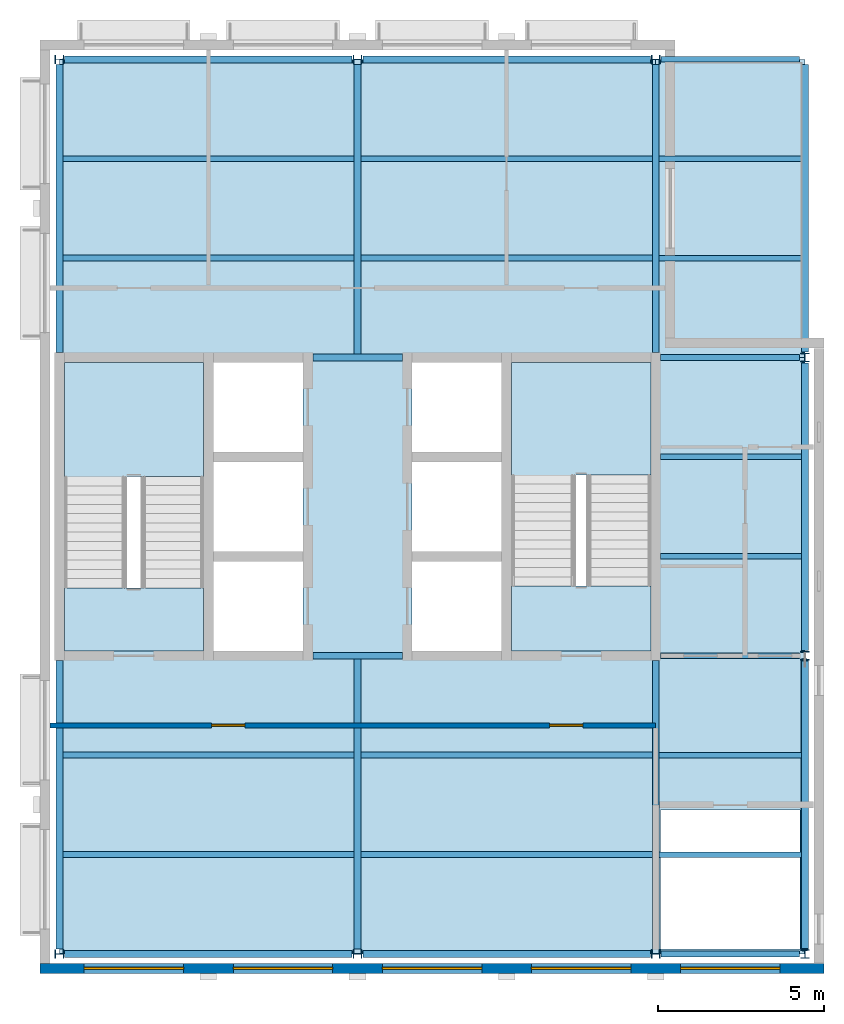
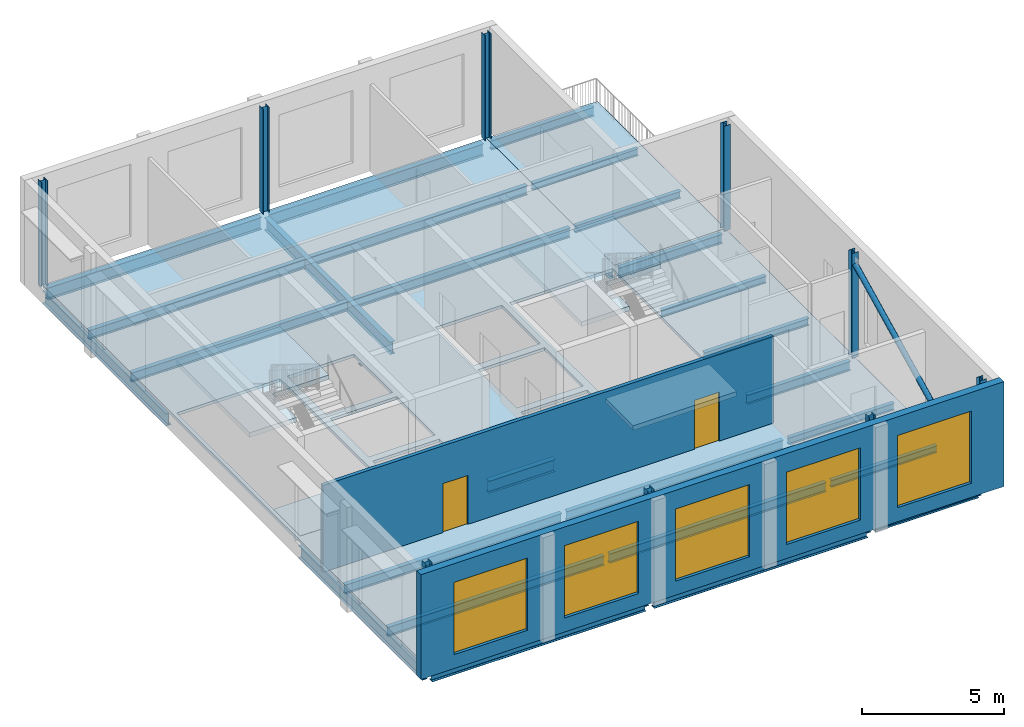
# One storey, part 1 of 5: 33 beams, 9 columns, 6 slabs, 5 windows, 2 doors, 2 walls, 1 member, 7 openings, 2 elements without a shape of their own.
"""IFC4 building model written with IfcOpenShell, lengths in metres."""

from ifc_helpers import new_model, si_unit, direction, frame, frame_2d, origin, origin_2d, place, context, subcontext, project, spatial, polyline, rectangle, hollow_circle, i_section, outline, extrude, material, layer, layer_set, material_profile, profile_set, type_object, element, fill, aggregate, save


model = new_model("IFC4")

# Units and contexts
model_context = context("Model", 3, precision=1e-05, world=origin(), true_north=direction((0.0, 1.0)))
body_context = subcontext(model_context, "Body", "Model", "MODEL_VIEW")
ifc_project = project(units=[si_unit("LENGTHUNIT", "METRE"), si_unit("AREAUNIT", "SQUARE_METRE"), si_unit("VOLUMEUNIT", "CUBIC_METRE"), si_unit("PLANEANGLEUNIT", "RADIAN"), si_unit("MASSUNIT", "GRAM", prefix="KILO")], contexts=[model_context])

# Site, building, storey
site_placement = place(None, origin())
site = spatial("IfcSite", under=ifc_project, at=site_placement, CompositionType="ELEMENT")
building_placement = place(site_placement, origin())
building = spatial("IfcBuilding", under=site, at=building_placement, Name="Hortulan Conservatory and Botanical Research Centre", CompositionType="ELEMENT")
storey_placement = place(building_placement, frame((0.0, 0.0, 65.39990234375)))
storey = spatial("IfcBuildingStorey", under=building, at=storey_placement, Name="L15", CompositionType="ELEMENT", Elevation=65.39990234375)

# Columns
ifc_material_1 = material(Name="Steel Grade 300PLUS (AS/NZS 3679.1, 280 MPa minimum yield)", Category="steel")
ifc_material_profile_1 = material_profile(ifc_material_1, i_section(OverallWidth=0.256103515625, OverallDepth=0.260009765625, WebThickness=0.010498046875, FlangeThickness=0.017333984375, FilletRadius=0.013916015625, at=origin_2d()), Name="250UC89.5")
ifc_profile_set_1 = profile_set([ifc_material_profile_1], Name="Steel Grade 300PLUS (AS/NZS 3679.1, 280 MPa minimum yield)")
column_type = type_object("IfcColumnType", Name="Tower Column 250UC89.5", PredefinedType="COLUMN", material=ifc_profile_set_1)
for number, where, z_axis, x_axis, name in (
    (1, (9.0, 0.0, 0.0), (0.0, 0.0, 1.0), (0.0, 1.0, 0.0), "250UC89.5 column"),
    (2, (9.0, 27.0, 0.0), (0.0, 0.0, 1.0), (0.0, 1.0, 0.0), "250UC89.5 column"),
    (3, (18.0, 0.0, 0.0), (0.0, 0.0, 1.0), (0.0, 1.0, 0.0), "250UC89.5 column"),
    (4, (18.0, 27.0, 0.0), (0.0, 0.0, 1.0), (0.0, 1.0, 0.0), "250UC89.5 column"),
    (5, (27.0, 0.0, 0.0), (0.0, 0.0, 1.0), (0.0, 1.0, 0.0), "250UC89.5 column"),
    (6, (27.0, 27.0, 0.0), (0.0, 0.0, 1.0), (0.0, 1.0, 0.0), "250UC89.5 column"),
    (7, (31.5, 0.0, 0.0), (0.0, 0.0, 1.0), (1.0, 0.0, 0.0), "250UC89.5 column"),
    (8, (31.5, 9.0, 0.0), (0.0, 0.0, 1.0), (1.0, 0.0, 0.0), "250UC89.5 column"),
    (9, (31.5, 18.0, 0.0), (0.0, 0.0, 1.0), (1.0, 0.0, 0.0), "250UC89.5 column"),
):
    element("IfcColumn", number, at=place(storey_placement, frame(where, z_axis=z_axis, x_axis=x_axis)), inside=storey, type_object=column_type, Name=name, PredefinedType="COLUMN", context=body_context, shape_type="SweptSolid", body=[
        extrude(i_section(OverallWidth=0.256103515625, OverallDepth=0.260009765625, WebThickness=0.010498046875, FlangeThickness=0.017333984375, FilletRadius=0.013916015625, at=origin_2d()), origin(), (0.0, 0.0, 1.0), 4.5),
    ])

# Member
ifc_material_2 = material(Name="Steel Grade C350L0 (350 MPa, AS/NZS 1163)", Category="steel")
ifc_material_profile_2 = material_profile(ifc_material_2, hollow_circle(Radius=0.109619140625, WallThickness=0.00830078125, at=origin_2d()), Name="219.1x8.2CHS")
ifc_profile_set_2 = profile_set([ifc_material_profile_2], Name="Steel Grade C350L0 (350 MPa, AS/NZS 1163)")
member_type = type_object("IfcMemberType", Name="Brace 219.1x8.2CHS", PredefinedType="BRACE", material=ifc_profile_set_2)
member_placement = place(storey_placement, frame((31.5, 0.1298828125, -0.32958984375), z_axis=(0.0, 0.896112890086, 0.443826191456), x_axis=(-1.0, 0.0, 0.0)))
element("IfcMember", 10, at=member_placement, inside=storey, type_object=member_type, Name="219.1x8.2CHS brace", PredefinedType="BRACE", context=body_context, shape_type="SweptSolid", body=[
    extrude(hollow_circle(Radius=0.109619140625, WallThickness=0.00830078125, at=origin_2d()), origin(), (0.0, 0.0, 1.0), 9.75341796875),
])

# Beams
ifc_material_profile_3 = material_profile(ifc_material_1, i_section(OverallWidth=0.177978515625, OverallDepth=0.403076171875, WebThickness=0.007568359375, FlangeThickness=0.010986328125, FilletRadius=0.011474609375, at=origin_2d()), Name="410UB53.7")
ifc_profile_set_3 = profile_set([ifc_material_profile_3], Name="Steel Grade 300PLUS (AS/NZS 3679.1, 280 MPa minimum yield)")
beam_type_1 = type_object("IfcBeamType", Name="Primary Beam 410UB53.7", PredefinedType="BEAM", material=ifc_profile_set_3)
for number, where, z_axis, x_axis, name in (
    (11, (27.160400390625, 0.0, -0.331298828125), (1.0, 0.0, 0.0), (0.0, 1.0, 0.0), "410UB53.7 girder"),
    (12, (27.160400390625, 27.0, -0.331298828125), (1.0, 0.0, 0.0), (0.0, 1.0, 0.0), "410UB53.7 girder"),
):
    element("IfcBeam", number, at=place(storey_placement, frame(where, z_axis=z_axis, x_axis=x_axis)), inside=storey, type_object=beam_type_1, Name=name, PredefinedType="BEAM", context=body_context, shape_type="SweptSolid", body=[
        extrude(i_section(OverallWidth=0.177978515625, OverallDepth=0.403076171875, WebThickness=0.007568359375, FlangeThickness=0.010986328125, FilletRadius=0.011474609375, at=origin_2d()), origin(), (0.0, 0.0, 1.0), 4.18505859375),
    ])
for number, where, z_axis, x_axis, name in (
    (13, (27.14990234375, 9.0, -0.331298828125), (1.0, 0.0, 0.0), (0.0, 1.0, 0.0), "410UB53.7 girder"),
    (14, (27.14990234375, 18.0, -0.331298828125), (1.0, 0.0, 0.0), (0.0, 1.0, 0.0), "410UB53.7 girder"),
):
    element("IfcBeam", number, at=place(storey_placement, frame(where, z_axis=z_axis, x_axis=x_axis)), inside=storey, type_object=beam_type_1, Name=name, PredefinedType="BEAM", context=body_context, shape_type="SweptSolid", body=[
        extrude(i_section(OverallWidth=0.177978515625, OverallDepth=0.403076171875, WebThickness=0.007568359375, FlangeThickness=0.010986328125, FilletRadius=0.011474609375, at=origin_2d()), origin(), (0.0, 0.0, 1.0), 4.195556640625),
    ])
ifc_material_profile_4 = material_profile(ifc_material_1, i_section(OverallWidth=0.208984375, OverallDepth=0.528076171875, WebThickness=0.009521484375, FlangeThickness=0.01318359375, FilletRadius=0.013916015625, at=origin_2d()), Name="530UB82.0")
ifc_profile_set_4 = profile_set([ifc_material_profile_4], Name="Steel Grade 300PLUS (AS/NZS 3679.1, 280 MPa minimum yield)")
beam_type_2 = type_object("IfcBeamType", Name="Primary Beam 530UB82.0", PredefinedType="BEAM", material=ifc_profile_set_4)
beam_1_placement = place(storey_placement, frame((9.0, 0.154541015625, -0.393798828125), z_axis=(0.0, 1.0, 0.0), x_axis=(-1.0, 0.0, 0.0)))
element("IfcBeam", 15, at=beam_1_placement, inside=storey, type_object=beam_type_2, Name="530UB82.0 girder", PredefinedType="BEAM", context=body_context, shape_type="SweptSolid", body=[
    extrude(i_section(OverallWidth=0.208984375, OverallDepth=0.528076171875, WebThickness=0.009521484375, FlangeThickness=0.01318359375, FilletRadius=0.013916015625, at=origin_2d()), origin(), (0.0, 0.0, 1.0), 8.695556640625),
])
beam_2_placement = place(storey_placement, frame((9.160400390625, 0.0, -0.393798828125), z_axis=(1.0, 0.0, 0.0), x_axis=(0.0, 1.0, 0.0)))
element("IfcBeam", 16, at=beam_2_placement, inside=storey, type_object=beam_type_2, Name="530UB82.0 girder", PredefinedType="BEAM", context=body_context, shape_type="SweptSolid", body=[
    extrude(i_section(OverallWidth=0.208984375, OverallDepth=0.528076171875, WebThickness=0.009521484375, FlangeThickness=0.01318359375, FilletRadius=0.013916015625, at=origin_2d()), origin(), (0.0, 0.0, 1.0), 8.67919921875),
])
beam_3_placement = place(storey_placement, frame((9.0, 18.14990234375, -0.393798828125), z_axis=(0.0, 1.0, 0.0), x_axis=(-1.0, 0.0, 0.0)))
element("IfcBeam", 17, at=beam_3_placement, inside=storey, type_object=beam_type_2, Name="530UB82.0 girder", PredefinedType="BEAM", context=body_context, shape_type="SweptSolid", body=[
    extrude(i_section(OverallWidth=0.208984375, OverallDepth=0.528076171875, WebThickness=0.009521484375, FlangeThickness=0.01318359375, FilletRadius=0.013916015625, at=origin_2d()), origin(), (0.0, 0.0, 1.0), 8.695556640625),
])
for number, where, z_axis, x_axis, name in (
    (18, (9.160400390625, 27.0, -0.393798828125), (1.0, 0.0, 0.0), (0.0, 1.0, 0.0), "530UB82.0 girder"),
    (19, (18.160400390625, 0.0, -0.393798828125), (1.0, 0.0, 0.0), (0.0, 1.0, 0.0), "530UB82.0 girder"),
    (20, (18.160400390625, 27.0, -0.393798828125), (1.0, 0.0, 0.0), (0.0, 1.0, 0.0), "530UB82.0 girder"),
    (21, (31.5, 0.160400390625, -0.393798828125), (0.0, 1.0, 0.0), (-1.0, 0.0, 0.0), "530UB82.0 girder"),
    (22, (31.5, 9.160400390625, -0.393798828125), (0.0, 1.0, 0.0), (-1.0, 0.0, 0.0), "530UB82.0 girder"),
    (23, (31.5, 18.160400390625, -0.393798828125), (0.0, 1.0, 0.0), (-1.0, 0.0, 0.0), "530UB82.0 girder"),
):
    element("IfcBeam", number, at=place(storey_placement, frame(where, z_axis=z_axis, x_axis=x_axis)), inside=storey, type_object=beam_type_2, Name=name, PredefinedType="BEAM", context=body_context, shape_type="SweptSolid", body=[
        extrude(i_section(OverallWidth=0.208984375, OverallDepth=0.528076171875, WebThickness=0.009521484375, FlangeThickness=0.01318359375, FilletRadius=0.013916015625, at=origin_2d()), origin(), (0.0, 0.0, 1.0), 8.67919921875),
    ])
ifc_material_profile_5 = material_profile(ifc_material_1, i_section(OverallWidth=0.208984375, OverallDepth=0.532958984375, WebThickness=0.01025390625, FlangeThickness=0.015625, FilletRadius=0.013916015625, at=origin_2d()), Name="530UB92.4")
ifc_profile_set_5 = profile_set([ifc_material_profile_5], Name="Steel Grade 300PLUS (AS/NZS 3679.1, 280 MPa minimum yield)")
beam_type_3 = type_object("IfcBeamType", Name="Primary Beam 530UB92.4", PredefinedType="BEAM", material=ifc_profile_set_5)
for number, where, z_axis, x_axis, name in (
    (24, (16.64990234375, 9.0, -0.396484375), (1.0, 0.0, 0.0), (0.0, 1.0, 0.0), "530UB92.4 girder"),
    (25, (16.64990234375, 18.0, -0.396484375), (1.0, 0.0, 0.0), (0.0, 1.0, 0.0), "530UB92.4 girder"),
):
    element("IfcBeam", number, at=place(storey_placement, frame(where, z_axis=z_axis, x_axis=x_axis)), inside=storey, type_object=beam_type_3, Name=name, PredefinedType="BEAM", context=body_context, shape_type="SweptSolid", body=[
        extrude(i_section(OverallWidth=0.208984375, OverallDepth=0.532958984375, WebThickness=0.01025390625, FlangeThickness=0.015625, FilletRadius=0.013916015625, at=origin_2d()), origin(), (0.0, 0.0, 1.0), 2.7001953125),
    ])
for number, where, z_axis, x_axis, name in (
    (26, (18.0, 0.154541015625, -0.396484375), (0.0, 1.0, 0.0), (-1.0, 0.0, 0.0), "530UB92.4 girder"),
    (27, (18.0, 18.0, -0.396484375), (0.0, 1.0, 0.0), (-1.0, 0.0, 0.0), "530UB92.4 girder"),
):
    element("IfcBeam", number, at=place(storey_placement, frame(where, z_axis=z_axis, x_axis=x_axis)), inside=storey, type_object=beam_type_3, Name=name, PredefinedType="BEAM", context=body_context, shape_type="SweptSolid", body=[
        extrude(i_section(OverallWidth=0.208984375, OverallDepth=0.532958984375, WebThickness=0.01025390625, FlangeThickness=0.015625, FilletRadius=0.013916015625, at=origin_2d()), origin(), (0.0, 0.0, 1.0), 8.845458984375),
    ])
for number, where, z_axis, x_axis, name in (
    (28, (27.0, 0.154541015625, -0.396484375), (0.0, 1.0, 0.0), (-1.0, 0.0, 0.0), "530UB92.4 girder"),
    (29, (27.0, 18.14990234375, -0.396484375), (0.0, 1.0, 0.0), (-1.0, 0.0, 0.0), "530UB92.4 girder"),
):
    element("IfcBeam", number, at=place(storey_placement, frame(where, z_axis=z_axis, x_axis=x_axis)), inside=storey, type_object=beam_type_3, Name=name, PredefinedType="BEAM", context=body_context, shape_type="SweptSolid", body=[
        extrude(i_section(OverallWidth=0.208984375, OverallDepth=0.532958984375, WebThickness=0.01025390625, FlangeThickness=0.015625, FilletRadius=0.013916015625, at=origin_2d()), origin(), (0.0, 0.0, 1.0), 8.695556640625),
    ])
ifc_material_profile_6 = material_profile(ifc_material_1, i_section(OverallWidth=0.1650390625, OverallDepth=0.303955078125, WebThickness=0.006103515625, FlangeThickness=0.01025390625, FilletRadius=0.011474609375, at=origin_2d()), Name="310UB40.4")
ifc_profile_set_6 = profile_set([ifc_material_profile_6], Name="Steel Grade 300PLUS (AS/NZS 3679.1, 280 MPa minimum yield)")
beam_type_4 = type_object("IfcBeamType", Name="Secondary Beam 310UB40.4", PredefinedType="JOIST", material=ifc_profile_set_6)
for number, where, z_axis, x_axis, name in (
    (30, (27.1044921875, 3.0, -0.281982421875), (1.0, 0.0, 0.0), (0.0, 1.0, 0.0), "310UB40.4 secondary beam"),
    (31, (27.1044921875, 6.0, -0.281982421875), (1.0, 0.0, 0.0), (0.0, 1.0, 0.0), "310UB40.4 secondary beam"),
):
    element("IfcBeam", number, at=place(storey_placement, frame(where, z_axis=z_axis, x_axis=x_axis)), inside=storey, type_object=beam_type_4, Name=name, PredefinedType="JOIST", context=body_context, shape_type="SweptSolid", body=[
        extrude(i_section(OverallWidth=0.1650390625, OverallDepth=0.303955078125, WebThickness=0.006103515625, FlangeThickness=0.01025390625, FilletRadius=0.011474609375, at=origin_2d()), origin(), (0.0, 0.0, 1.0), 4.291015625),
    ])
for number, where, z_axis, x_axis, name in (
    (32, (27.14990234375, 12.0, -0.281982421875), (1.0, 0.0, 0.0), (0.0, 1.0, 0.0), "310UB40.4 secondary beam"),
    (33, (27.14990234375, 15.0, -0.281982421875), (1.0, 0.0, 0.0), (0.0, 1.0, 0.0), "310UB40.4 secondary beam"),
):
    element("IfcBeam", number, at=place(storey_placement, frame(where, z_axis=z_axis, x_axis=x_axis)), inside=storey, type_object=beam_type_4, Name=name, PredefinedType="JOIST", context=body_context, shape_type="SweptSolid", body=[
        extrude(i_section(OverallWidth=0.1650390625, OverallDepth=0.303955078125, WebThickness=0.006103515625, FlangeThickness=0.01025390625, FilletRadius=0.011474609375, at=origin_2d()), origin(), (0.0, 0.0, 1.0), 4.24560546875),
    ])
for number, where, z_axis, x_axis, name in (
    (34, (27.1044921875, 21.0, -0.281982421875), (1.0, 0.0, 0.0), (0.0, 1.0, 0.0), "310UB40.4 secondary beam"),
    (35, (27.1044921875, 24.0, -0.281982421875), (1.0, 0.0, 0.0), (0.0, 1.0, 0.0), "310UB40.4 secondary beam"),
):
    element("IfcBeam", number, at=place(storey_placement, frame(where, z_axis=z_axis, x_axis=x_axis)), inside=storey, type_object=beam_type_4, Name=name, PredefinedType="JOIST", context=body_context, shape_type="SweptSolid", body=[
        extrude(i_section(OverallWidth=0.1650390625, OverallDepth=0.303955078125, WebThickness=0.006103515625, FlangeThickness=0.01025390625, FilletRadius=0.011474609375, at=origin_2d()), origin(), (0.0, 0.0, 1.0), 4.291015625),
    ])
ifc_material_profile_7 = material_profile(ifc_material_1, i_section(OverallWidth=0.177978515625, OverallDepth=0.406005859375, WebThickness=0.0078125, FlangeThickness=0.0126953125, FilletRadius=0.011474609375, at=origin_2d()), Name="410UB59.7")
ifc_profile_set_7 = profile_set([ifc_material_profile_7], Name="Steel Grade 300PLUS (AS/NZS 3679.1, 280 MPa minimum yield)")
beam_type_5 = type_object("IfcBeamType", Name="Secondary Beam 410UB59.7", PredefinedType="JOIST", material=ifc_profile_set_7)
for number, where, z_axis, x_axis, name in (
    (36, (9.1044921875, 3.0, -0.3330078125), (1.0, 0.0, 0.0), (0.0, 1.0, 0.0), "410UB59.7 secondary beam"),
    (37, (9.1044921875, 6.0, -0.3330078125), (1.0, 0.0, 0.0), (0.0, 1.0, 0.0), "410UB59.7 secondary beam"),
    (38, (9.1044921875, 21.0, -0.3330078125), (1.0, 0.0, 0.0), (0.0, 1.0, 0.0), "410UB59.7 secondary beam"),
    (39, (9.1044921875, 24.0, -0.3330078125), (1.0, 0.0, 0.0), (0.0, 1.0, 0.0), "410UB59.7 secondary beam"),
    (40, (18.1044921875, 3.0, -0.3330078125), (1.0, 0.0, 0.0), (0.0, 1.0, 0.0), "410UB59.7 secondary beam"),
    (41, (18.1044921875, 6.0, -0.3330078125), (1.0, 0.0, 0.0), (0.0, 1.0, 0.0), "410UB59.7 secondary beam"),
    (42, (18.1044921875, 21.0, -0.3330078125), (1.0, 0.0, 0.0), (0.0, 1.0, 0.0), "410UB59.7 secondary beam"),
    (43, (18.1044921875, 24.0, -0.3330078125), (1.0, 0.0, 0.0), (0.0, 1.0, 0.0), "410UB59.7 secondary beam"),
):
    element("IfcBeam", number, at=place(storey_placement, frame(where, z_axis=z_axis, x_axis=x_axis)), inside=storey, type_object=beam_type_5, Name=name, PredefinedType="JOIST", context=body_context, shape_type="SweptSolid", body=[
        extrude(i_section(OverallWidth=0.177978515625, OverallDepth=0.406005859375, WebThickness=0.0078125, FlangeThickness=0.0126953125, FilletRadius=0.011474609375, at=origin_2d()), origin(), (0.0, 0.0, 1.0), 8.791015625),
    ])

# Slab
ifc_material_3 = material(Name="Concrete N32 (32 MPa, AS 3600)", Category="concrete")
ifc_layer_1 = layer(ifc_material_3, 0.1298828125)
ifc_layer_set_1 = layer_set([ifc_layer_1], Name="Composite Floor Slab 130")
slab_type_1 = type_object("IfcSlabType", Name="Composite Floor Slab 130", PredefinedType="FLOOR", material=ifc_layer_set_1)
slab_1_placement = place(storey_placement, frame((0.0, 0.0, -0.1298828125)))
element("IfcSlab", 44, at=slab_1_placement, inside=storey, type_object=slab_type_1, Name="Floor slab", PredefinedType="FLOOR", context=body_context, shape_type="SweptSolid", body=[
    extrude(outline(polyline([(9.0, 0.0), (31.5, 0.0), (31.5, 18.0), (27.0, 18.0), (27.0, 27.0), (9.0, 27.0), (9.0, 0.0)]), holes=[polyline([(27.14990234375, 4.35009765625), (27.14990234375, 0.14990234375), (31.35009765625, 0.14990234375), (31.35009765625, 4.35009765625), (27.14990234375, 4.35009765625)]), polyline([(13.64990234375, 11.85009765625), (13.64990234375, 9.14990234375), (16.35009765625, 9.14990234375), (16.35009765625, 11.85009765625), (13.64990234375, 11.85009765625)]), polyline([(19.64990234375, 11.85009765625), (19.64990234375, 9.14990234375), (22.35009765625, 9.14990234375), (22.35009765625, 11.85009765625), (19.64990234375, 11.85009765625)]), polyline([(9.14990234375, 17.85009765625), (9.14990234375, 9.14990234375), (13.35009765625, 9.14990234375), (13.35009765625, 17.85009765625), (9.14990234375, 17.85009765625)]), polyline([(13.64990234375, 14.85009765625), (13.64990234375, 12.14990234375), (16.35009765625, 12.14990234375), (16.35009765625, 14.85009765625), (13.64990234375, 14.85009765625)]), polyline([(19.64990234375, 14.85009765625), (19.64990234375, 12.14990234375), (22.35009765625, 12.14990234375), (22.35009765625, 14.85009765625), (19.64990234375, 14.85009765625)]), polyline([(22.64990234375, 17.85009765625), (22.64990234375, 9.14990234375), (26.85009765625, 9.14990234375), (26.85009765625, 17.85009765625), (22.64990234375, 17.85009765625)]), polyline([(16.35009765625, 17.85009765625), (13.64990234375, 17.85009765625), (13.64990234375, 15.14990234375), (16.35009765625, 15.14990234375), (16.35009765625, 17.85009765625)]), polyline([(22.35009765625, 17.85009765625), (19.64990234375, 17.85009765625), (19.64990234375, 15.14990234375), (22.35009765625, 15.14990234375), (22.35009765625, 17.85009765625)])]), origin(), (0.0, 0.0, 1.0), 0.1298828125),
])

# Stair, slab
ifc_material_4 = material(Name="Concrete N40 (40 MPa, AS 3600)", Category="concrete")
stair_type_1 = type_object("IfcStairType", Name="Concrete Escape Stair 1900", PredefinedType="HALF_TURN_STAIR", material=ifc_material_4)
stair_1_placement = place(storey_placement, origin())
stair_1 = element("IfcStair", 45, at=stair_1_placement, inside=storey, type_object=stair_type_1, Name="Stair T1 L15", PredefinedType="HALF_TURN_STAIR")
ifc_layer_2 = layer(ifc_material_4, 0.199951171875)
ifc_layer_set_2 = layer_set([ifc_layer_2], Name="Stair Landing 200")
slab_type_2 = type_object("IfcSlabType", Name="Stair Landing 200", PredefinedType="LANDING", material=ifc_layer_set_2)
slab_2_placement = place(storey_placement, frame((0.0, 0.0, 2.050048828125)))
slab_2 = element("IfcSlab", 46, at=slab_2_placement, type_object=slab_type_2, Name="Stair T1 L15 half landing 1", PredefinedType="LANDING", context=body_context, shape_type="SweptSolid", body=[
    extrude(outline(polyline([(13.35009765625, 14.409423828125), (11.050048828125, 14.409423828125), (11.050048828125, 12.72998046875), (9.14990234375, 12.72998046875), (9.14990234375, 14.409423828125), (9.14990234375, 14.409912109375), (9.14990234375, 14.419921875), (9.14990234375, 17.85009765625), (13.35009765625, 17.85009765625), (13.35009765625, 14.419921875), (13.35009765625, 14.409912109375), (13.35009765625, 14.409423828125)])), origin(), (0.0, 0.0, 1.0), 0.199951171875),
])
aggregate(stair_1, [slab_2])

# Slab
slab_3_placement = place(storey_placement, frame((0.0, 0.0, -0.199951171875)))
element("IfcSlab", 47, at=slab_3_placement, inside=storey, type_object=slab_type_2, Name="Stair T1 floor landing L15", PredefinedType="LANDING", context=body_context, shape_type="SweptSolid", body=[
    extrude(outline(polyline([(13.35009765625, 9.14990234375), (9.14990234375, 9.14990234375), (9.14990234375, 11.050048828125), (13.35009765625, 11.050048828125), (13.35009765625, 9.14990234375)])), origin(), (0.0, 0.0, 1.0), 0.199951171875),
])

# Stair, slab
stair_type_2 = type_object("IfcStairType", Name="Concrete Escape Stair 1950", PredefinedType="HALF_TURN_STAIR", material=ifc_material_4)
stair_2_placement = place(storey_placement, origin())
stair_2 = element("IfcStair", 48, at=stair_2_placement, inside=storey, type_object=stair_type_2, Name="Stair T2 L15", PredefinedType="HALF_TURN_STAIR")
slab_4_placement = place(storey_placement, frame((0.0, 0.0, 2.050048828125)))
slab_4 = element("IfcSlab", 49, at=slab_4_placement, type_object=slab_type_2, Name="Stair T2 L15 half landing 1", PredefinedType="LANDING", context=body_context, shape_type="SweptSolid", body=[
    extrude(outline(polyline([(26.85009765625, 14.45947265625), (24.60009765625, 14.45947265625), (24.60009765625, 12.780029296875), (22.64990234375, 12.780029296875), (22.64990234375, 14.45947265625), (22.64990234375, 14.4599609375), (22.64990234375, 14.469970703125), (22.64990234375, 17.85009765625), (26.85009765625, 17.85009765625), (26.85009765625, 14.469970703125), (26.85009765625, 14.4599609375), (26.85009765625, 14.45947265625)])), origin(), (0.0, 0.0, 1.0), 0.199951171875),
])
aggregate(stair_2, [slab_4])

# Slabs
slab_5_placement = place(storey_placement, frame((0.0, 0.0, -0.199951171875)))
element("IfcSlab", 50, at=slab_5_placement, inside=storey, type_object=slab_type_2, Name="Stair T2 floor landing L15", PredefinedType="LANDING", context=body_context, shape_type="SweptSolid", body=[
    extrude(outline(polyline([(26.85009765625, 9.14990234375), (22.64990234375, 9.14990234375), (22.64990234375, 11.10009765625), (26.85009765625, 11.10009765625), (26.85009765625, 9.14990234375)])), origin(), (0.0, 0.0, 1.0), 0.199951171875),
])
ifc_layer_3 = layer(ifc_material_3, 0.1298828125)
ifc_layer_set_3 = layer_set([ifc_layer_3], Name="Terrace Slab 130")
slab_type_3 = type_object("IfcSlabType", Name="Terrace Slab 130", PredefinedType="ROOF", material=ifc_layer_set_3)
slab_6_placement = place(storey_placement, frame((0.0, 0.0, -0.1298828125)))
element("IfcSlab", 51, at=slab_6_placement, inside=storey, type_object=slab_type_3, Name="Terrace slab", PredefinedType="ROOF", context=body_context, shape_type="SweptSolid", body=[
    extrude(outline(polyline([(27.0, 18.0), (31.5, 18.0), (31.5, 27.0), (27.0, 27.0), (27.0, 18.0)])), origin(), (0.0, 0.0, 1.0), 0.1298828125),
])

# Wall, openings, doors
ifc_material_5 = material(Name="Plasterboard on steel studs", Category="steel")
ifc_layer_4 = layer(ifc_material_5, 0.14990234375)
ifc_layer_set_4 = layer_set([ifc_layer_4], Name="Corridor Partition 150")
wall_type_1 = type_object("IfcWallType", Name="Corridor Partition 150", PredefinedType="PARTITIONING", material=ifc_layer_set_4)
wall_1_placement = place(storey_placement, frame((8.72412109375, 6.89990234375, 0.0), z_axis=(0.0, 0.0, 1.0), x_axis=(1.0, 0.0, 0.0)))
wall_1 = element("IfcWall", 52, at=wall_1_placement, inside=storey, type_object=wall_type_1, Name="Corridor partition", PredefinedType="PARTITIONING", context=body_context, shape_type="SweptSolid", body=[
    extrude(rectangle(XDim=18.27587890625, YDim=0.14990234375, at=frame_2d((9.137939453125, 0.0))), origin(), (0.0, 0.0, 1.0), 3.72314453125),
])
opening_1_placement = place(wall_1_placement, frame((15.075927734375, 0.0, 0.0)))
opening_1 = element("IfcOpeningElement", 53, at=opening_1_placement, cuts=wall_1, Name="Opening DT1", PredefinedType="OPENING", context=body_context, shape_type="SweptSolid", body=[
    extrude(rectangle(XDim=1.0, YDim=2.10009765625, at=frame_2d((0.5, 1.050048828125))), frame((0.0, 0.0849609375, 0.0), z_axis=(0.0, -1.0, 0.0), x_axis=(1.0, 0.0, 0.0)), (0.0, 0.0, 1.0), 0.169921875),
])
opening_2_placement = place(wall_1_placement, frame((4.8759765625, 0.0, 0.0)))
opening_2 = element("IfcOpeningElement", 54, at=opening_2_placement, cuts=wall_1, Name="Opening DT1", PredefinedType="OPENING", context=body_context, shape_type="SweptSolid", body=[
    extrude(rectangle(XDim=1.0, YDim=2.10009765625, at=frame_2d((0.5, 1.050048828125))), frame((0.0, 0.0849609375, 0.0), z_axis=(0.0, -1.0, 0.0), x_axis=(1.0, 0.0, 0.0)), (0.0, 0.0, 1.0), 0.169921875),
])
ifc_material_6 = material(Name="Timber door leaf in timber frame", Category="wood")
door_type = type_object("IfcDoorType", Name="Single Door 1000x2100", OperationType="NOTDEFINED", PredefinedType="DOOR", material=ifc_material_6)
door_1_placement = place(opening_1_placement, frame((1.0, 0.0, 0.0), z_axis=(0.0, 0.0, 1.0), x_axis=(-1.0, 0.0, 0.0)))
door_1 = element("IfcDoor", 55, at=door_1_placement, inside=storey, type_object=door_type, Name="Door DT1 Viewing Gallery", OperationType="SINGLE_SWING_RIGHT", OverallHeight=2.10009765625, OverallWidth=1.0, PredefinedType="DOOR", context=body_context, shape_type="SweptSolid", body=[
    extrude(rectangle(XDim=1.0, YDim=2.10009765625, at=frame_2d((0.5, 1.050048828125))), frame((0.0, 0.02490234375, 0.0), z_axis=(0.0, -1.0, 0.0), x_axis=(1.0, 0.0, 0.0)), (0.0, 0.0, 1.0), 0.050048828125),
])
fill(opening_1, door_1)
door_2_placement = place(opening_2_placement, frame((1.0, 0.0, 0.0), z_axis=(0.0, 0.0, 1.0), x_axis=(-1.0, 0.0, 0.0)))
door_2 = element("IfcDoor", 56, at=door_2_placement, inside=storey, type_object=door_type, Name="Door DT1 Viewing Gallery", OperationType="SINGLE_SWING_LEFT", OverallHeight=2.10009765625, OverallWidth=1.0, PredefinedType="DOOR", context=body_context, shape_type="SweptSolid", body=[
    extrude(rectangle(XDim=1.0, YDim=2.10009765625, at=frame_2d((0.5, 1.050048828125))), frame((0.0, 0.02490234375, 0.0), z_axis=(0.0, -1.0, 0.0), x_axis=(1.0, 0.0, 0.0)), (0.0, 0.0, 1.0), 0.050048828125),
])
fill(opening_2, door_2)

# Wall, openings, windows
ifc_material_7 = material(Name="Verdigris copper-green zinc cladding on lightweight framing", Category="metal")
ifc_layer_5 = layer(ifc_material_7, 0.300048828125)
ifc_layer_set_5 = layer_set([ifc_layer_5], Name="Verdigris Zinc Clad Wall 300")
wall_type_2 = type_object("IfcWallType", Name="Verdigris Zinc Clad Wall 300", PredefinedType="STANDARD", material=ifc_layer_set_5)
wall_2_placement = place(storey_placement, frame((32.074951171875, -0.43603515625, 0.0), z_axis=(0.0, 0.0, 1.0), x_axis=(-1.0, 0.0, 0.0)))
wall_2 = element("IfcWall", 57, at=wall_2_placement, inside=storey, type_object=wall_type_2, Name="E-EW-TW-L15-S1", PredefinedType="STANDARD", context=body_context, shape_type="SweptSolid", body=[
    extrude(rectangle(XDim=23.660888671875, YDim=0.300048828125, at=frame_2d((11.83056640625, 0.0))), origin(), (0.0, 0.0, 1.0), 4.5),
])
opening_3_placement = place(wall_2_placement, frame((19.324951171875, 0.0, 0.60009765625)))
opening_3 = element("IfcOpeningElement", 58, at=opening_3_placement, cuts=wall_2, Name="Opening W8", PredefinedType="OPENING", context=body_context, shape_type="SweptSolid", body=[
    extrude(rectangle(XDim=3.0, YDim=3.10009765625, at=frame_2d((1.5, 1.550048828125))), frame((0.0, 0.159912109375, 0.0), z_axis=(0.0, -1.0, 0.0), x_axis=(1.0, 0.0, 0.0)), (0.0, 0.0, 1.0), 0.320068359375),
])
opening_4_placement = place(wall_2_placement, frame((14.824951171875, 0.0, 0.60009765625)))
opening_4 = element("IfcOpeningElement", 59, at=opening_4_placement, cuts=wall_2, Name="Opening W8", PredefinedType="OPENING", context=body_context, shape_type="SweptSolid", body=[
    extrude(rectangle(XDim=3.0, YDim=3.10009765625, at=frame_2d((1.5, 1.550048828125))), frame((0.0, 0.159912109375, 0.0), z_axis=(0.0, -1.0, 0.0), x_axis=(1.0, 0.0, 0.0)), (0.0, 0.0, 1.0), 0.320068359375),
])
opening_5_placement = place(wall_2_placement, frame((10.324951171875, 0.0, 0.60009765625)))
opening_5 = element("IfcOpeningElement", 60, at=opening_5_placement, cuts=wall_2, Name="Opening W8", PredefinedType="OPENING", context=body_context, shape_type="SweptSolid", body=[
    extrude(rectangle(XDim=3.0, YDim=3.10009765625, at=frame_2d((1.5, 1.550048828125))), frame((0.0, 0.159912109375, 0.0), z_axis=(0.0, -1.0, 0.0), x_axis=(1.0, 0.0, 0.0)), (0.0, 0.0, 1.0), 0.320068359375),
])
opening_6_placement = place(wall_2_placement, frame((5.824951171875, 0.0, 0.60009765625)))
opening_6 = element("IfcOpeningElement", 61, at=opening_6_placement, cuts=wall_2, Name="Opening W8", PredefinedType="OPENING", context=body_context, shape_type="SweptSolid", body=[
    extrude(rectangle(XDim=3.0, YDim=3.10009765625, at=frame_2d((1.5, 1.550048828125))), frame((0.0, 0.159912109375, 0.0), z_axis=(0.0, -1.0, 0.0), x_axis=(1.0, 0.0, 0.0)), (0.0, 0.0, 1.0), 0.320068359375),
])
opening_7_placement = place(wall_2_placement, frame((1.324951171875, 0.0, 0.60009765625)))
opening_7 = element("IfcOpeningElement", 62, at=opening_7_placement, cuts=wall_2, Name="Opening W8", PredefinedType="OPENING", context=body_context, shape_type="SweptSolid", body=[
    extrude(rectangle(XDim=3.0, YDim=3.10009765625, at=frame_2d((1.5, 1.550048828125))), frame((0.0, 0.159912109375, 0.0), z_axis=(0.0, -1.0, 0.0), x_axis=(1.0, 0.0, 0.0)), (0.0, 0.0, 1.0), 0.320068359375),
])
ifc_material_8 = material(Name="Bronze-finished aluminium frame with low-e laminated double glazing", Category="aluminium")
window_type = type_object("IfcWindowType", Name="Attic Window 3000x3100", PartitioningType="SINGLE_PANEL", PredefinedType="WINDOW", material=ifc_material_8)
window_1_placement = place(opening_3_placement, origin())
window_1 = element("IfcWindow", 63, at=window_1_placement, inside=storey, type_object=window_type, Name="Attic window", OverallHeight=3.10009765625, OverallWidth=3.0, PartitioningType="SINGLE_PANEL", PredefinedType="WINDOW", context=body_context, shape_type="SweptSolid", body=[
    extrude(rectangle(XDim=3.0, YDim=3.10009765625, at=frame_2d((1.5, 1.550048828125))), frame((0.0, 0.030029296875, 0.0), z_axis=(0.0, -1.0, 0.0), x_axis=(1.0, 0.0, 0.0)), (0.0, 0.0, 1.0), 0.06005859375),
])
fill(opening_3, window_1)
window_2_placement = place(opening_4_placement, origin())
window_2 = element("IfcWindow", 64, at=window_2_placement, inside=storey, type_object=window_type, Name="Attic window", OverallHeight=3.10009765625, OverallWidth=3.0, PartitioningType="SINGLE_PANEL", PredefinedType="WINDOW", context=body_context, shape_type="SweptSolid", body=[
    extrude(rectangle(XDim=3.0, YDim=3.10009765625, at=frame_2d((1.5, 1.550048828125))), frame((0.0, 0.030029296875, 0.0), z_axis=(0.0, -1.0, 0.0), x_axis=(1.0, 0.0, 0.0)), (0.0, 0.0, 1.0), 0.06005859375),
])
fill(opening_4, window_2)
window_3_placement = place(opening_5_placement, origin())
window_3 = element("IfcWindow", 65, at=window_3_placement, inside=storey, type_object=window_type, Name="Attic window", OverallHeight=3.10009765625, OverallWidth=3.0, PartitioningType="SINGLE_PANEL", PredefinedType="WINDOW", context=body_context, shape_type="SweptSolid", body=[
    extrude(rectangle(XDim=3.0, YDim=3.10009765625, at=frame_2d((1.5, 1.550048828125))), frame((0.0, 0.030029296875, 0.0), z_axis=(0.0, -1.0, 0.0), x_axis=(1.0, 0.0, 0.0)), (0.0, 0.0, 1.0), 0.06005859375),
])
fill(opening_5, window_3)
window_4_placement = place(opening_6_placement, origin())
window_4 = element("IfcWindow", 66, at=window_4_placement, inside=storey, type_object=window_type, Name="Attic window", OverallHeight=3.10009765625, OverallWidth=3.0, PartitioningType="SINGLE_PANEL", PredefinedType="WINDOW", context=body_context, shape_type="SweptSolid", body=[
    extrude(rectangle(XDim=3.0, YDim=3.10009765625, at=frame_2d((1.5, 1.550048828125))), frame((0.0, 0.030029296875, 0.0), z_axis=(0.0, -1.0, 0.0), x_axis=(1.0, 0.0, 0.0)), (0.0, 0.0, 1.0), 0.06005859375),
])
fill(opening_6, window_4)
window_5_placement = place(opening_7_placement, origin())
window_5 = element("IfcWindow", 67, at=window_5_placement, inside=storey, type_object=window_type, Name="Attic window", OverallHeight=3.10009765625, OverallWidth=3.0, PartitioningType="SINGLE_PANEL", PredefinedType="WINDOW", context=body_context, shape_type="SweptSolid", body=[
    extrude(rectangle(XDim=3.0, YDim=3.10009765625, at=frame_2d((1.5, 1.550048828125))), frame((0.0, 0.030029296875, 0.0), z_axis=(0.0, -1.0, 0.0), x_axis=(1.0, 0.0, 0.0)), (0.0, 0.0, 1.0), 0.06005859375),
])
fill(opening_7, window_5)

save(model, "model.ifc")
